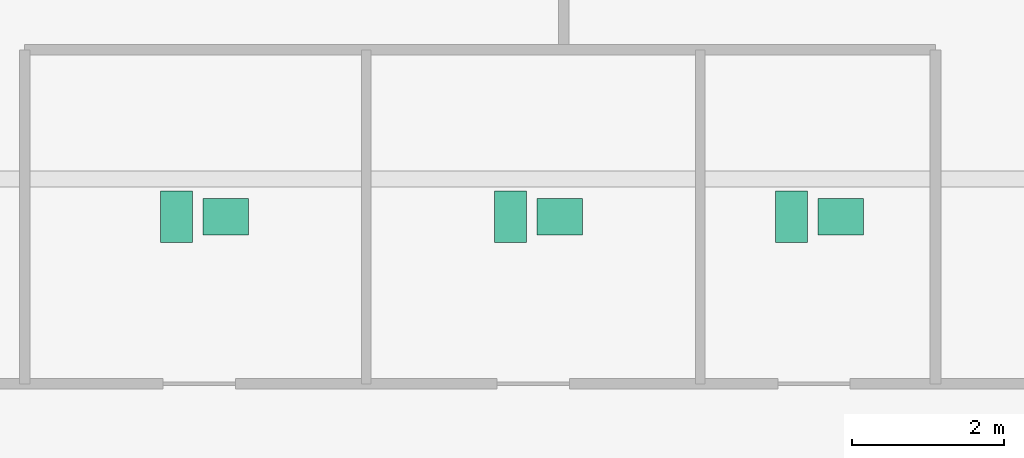
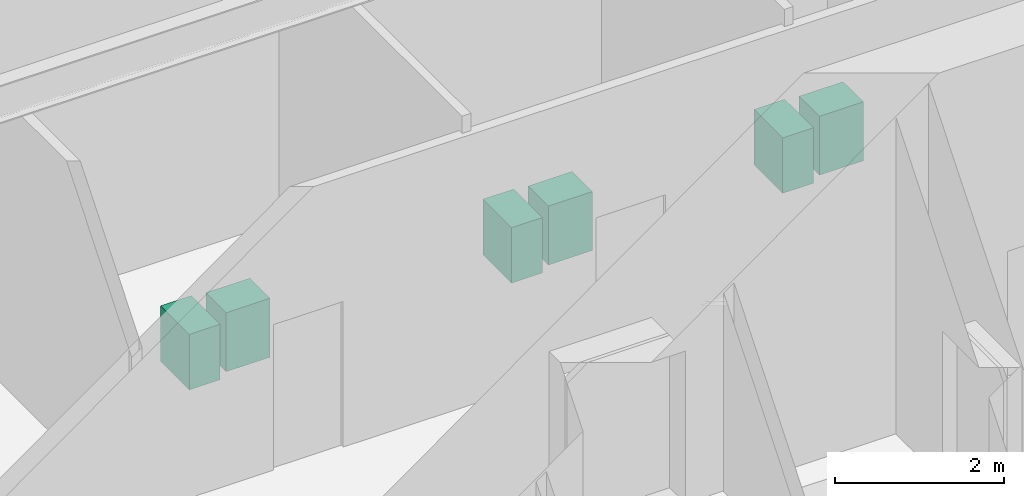
# One storey, part 9 of 9: 6 sanitary terminals.
"""IFC4 building model written with IfcOpenShell, lengths in metres."""

from ifc_helpers import new_model, si_unit, direction, frame, origin, origin_2d, place, context, subcontext, project, spatial, rectangle, extrude, source, transform, mapped, material, type_object, type_shapes, element, save


model = new_model("IFC4")

# Units and contexts
model_context = context("Model", 3, precision=1e-05, world=origin(), true_north=direction((0.0, 1.0)))
body_context = subcontext(model_context, "Body", "Model", "MODEL_VIEW")
ifc_project = project(units=[si_unit("LENGTHUNIT", "METRE"), si_unit("AREAUNIT", "SQUARE_METRE"), si_unit("VOLUMEUNIT", "CUBIC_METRE"), si_unit("PLANEANGLEUNIT", "RADIAN"), si_unit("MASSUNIT", "GRAM", prefix="KILO")], contexts=[model_context])

# Site, building, storey
site_placement = place(None, origin())
site = spatial("IfcSite", under=ifc_project, at=site_placement, CompositionType="ELEMENT")
building_placement = place(site_placement, origin())
building = spatial("IfcBuilding", under=site, at=building_placement, Name="Krantzveldt Concourse Tower", CompositionType="ELEMENT")
storey_placement = place(building_placement, frame((0.0, 0.0, 10.39990234375)))
storey = spatial("IfcBuildingStorey", under=building, at=storey_placement, Name="L02", CompositionType="ELEMENT", Elevation=10.39990234375)

# Sanitary terminals
ifc_material = material(Name="Vitreous china", Category="ceramic")
sanitary_terminal_type_1 = type_object("IfcSanitaryTerminalType", Name="SAN-WC-SUITE", PredefinedType="TOILETPAN", material=ifc_material)
shared_shape_1 = source(origin(), body_context, "Body", "SweptSolid", [
    extrude(rectangle(XDim=0.419921875, YDim=0.679931640625, at=origin_2d()), origin(), (0.0, 0.0, 1.0), 0.800048828125),
])
type_shapes(sanitary_terminal_type_1, [shared_shape_1])
for number, where, z_axis, x_axis, name in (
    (1, (33.0, 31.300048828125, 0.0), (0.0, 0.0, 1.0), (1.0, 0.0, 0.0), "WC-SP-L02-WCM"),
    (2, (37.39990234375, 31.300048828125, 0.0), (0.0, 0.0, 1.0), (1.0, 0.0, 0.0), "WC-SP-L02-WCF"),
    (3, (41.10009765625, 31.300048828125, 0.0), (0.0, 0.0, 1.0), (1.0, 0.0, 0.0), "WC-SP-L02-WCA"),
):
    element("IfcSanitaryTerminal", number, at=place(storey_placement, frame(where, z_axis=z_axis, x_axis=x_axis)), inside=storey, type_object=sanitary_terminal_type_1, Name=name, PredefinedType="TOILETPAN", context=body_context, shape_type="MappedRepresentation", body=[
        mapped(shared_shape_1, transform((0.0, 0.0, 0.0), x_axis=(1.0, 0.0, 0.0), y_axis=(0.0, 1.0, 0.0), z_axis=(0.0, 0.0, 1.0), scale=1.0)),
    ])
sanitary_terminal_type_2 = type_object("IfcSanitaryTerminalType", Name="SAN-BASIN-600", PredefinedType="WASHHANDBASIN", material=ifc_material)
shared_shape_2 = source(origin(), body_context, "Body", "SweptSolid", [
    extrude(rectangle(XDim=0.60009765625, YDim=0.47998046875, at=origin_2d()), origin(), (0.0, 0.0, 1.0), 0.85009765625),
])
type_shapes(sanitary_terminal_type_2, [shared_shape_2])
for number, where, z_axis, x_axis, name in (
    (4, (33.64990234375, 31.300048828125, 0.005126953125), (0.0, 0.0, 1.0), (1.0, 0.0, 0.0), "BSN-SP-L02-WCM"),
    (5, (38.050048828125, 31.300048828125, 0.005126953125), (0.0, 0.0, 1.0), (1.0, 0.0, 0.0), "BSN-SP-L02-WCF"),
    (6, (41.75, 31.300048828125, 0.005126953125), (0.0, 0.0, 1.0), (1.0, 0.0, 0.0), "BSN-SP-L02-WCA"),
):
    element("IfcSanitaryTerminal", number, at=place(storey_placement, frame(where, z_axis=z_axis, x_axis=x_axis)), inside=storey, type_object=sanitary_terminal_type_2, Name=name, PredefinedType="WASHHANDBASIN", context=body_context, shape_type="MappedRepresentation", body=[
        mapped(shared_shape_2, transform((0.0, 0.0, 0.0), x_axis=(1.0, 0.0, 0.0), y_axis=(0.0, 1.0, 0.0), z_axis=(0.0, 0.0, 1.0), scale=1.0)),
    ])

save(model, "model.ifc")
